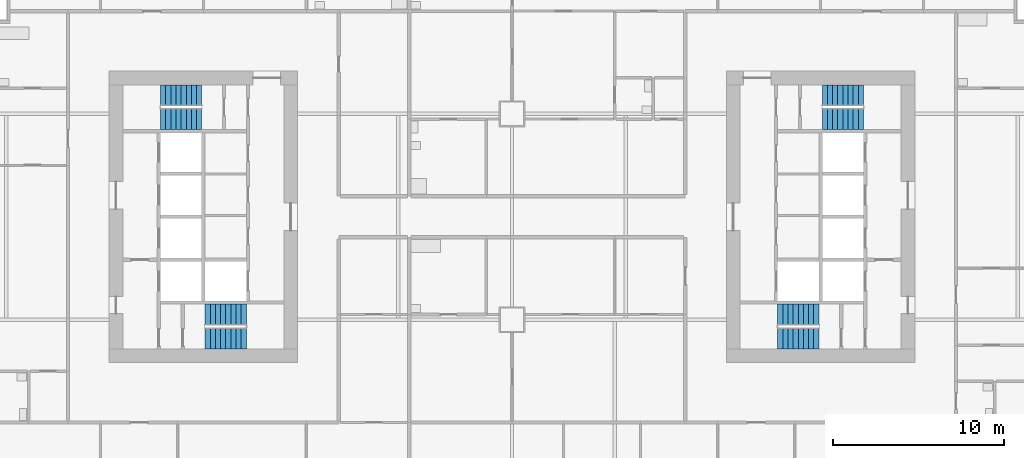
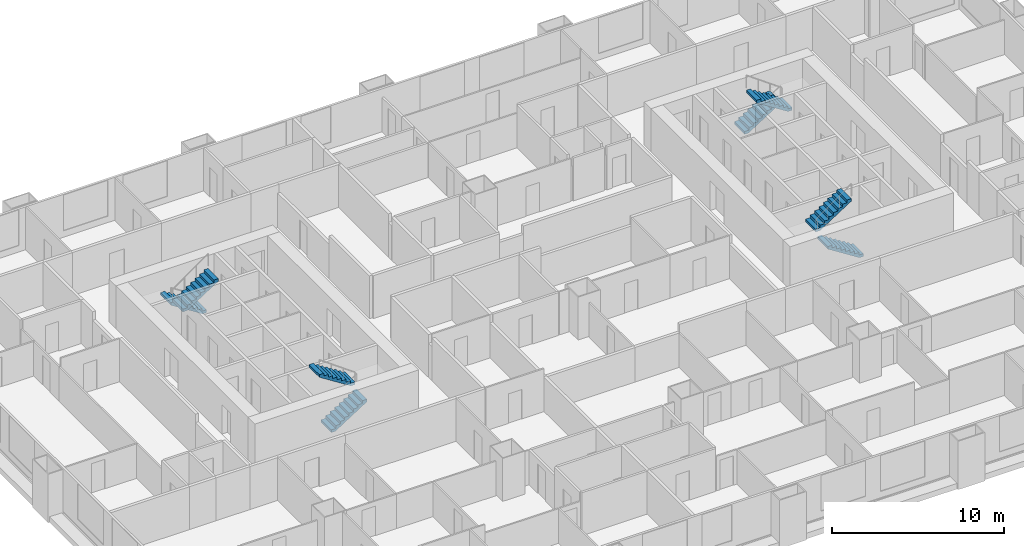
# One storey, part 11 of 13: 8 stair flights, 4 elements without a shape of their own.
"""IFC4 building model written with IfcOpenShell, lengths in metres."""

from ifc_helpers import new_model, si_unit, direction, frame, origin, place, context, subcontext, project, spatial, polyline, outline, extrude, material, type_object, element, aggregate, save


model = new_model("IFC4")

# Units and contexts
model_context = context("Model", 3, precision=1e-05, world=origin(), true_north=direction((0.0, 1.0)))
body_context = subcontext(model_context, "Body", "Model", "MODEL_VIEW")
ifc_project = project(units=[si_unit("LENGTHUNIT", "METRE"), si_unit("AREAUNIT", "SQUARE_METRE"), si_unit("VOLUMEUNIT", "CUBIC_METRE"), si_unit("PLANEANGLEUNIT", "RADIAN"), si_unit("MASSUNIT", "GRAM", prefix="KILO")], contexts=[model_context])

# Site, building, storey
site_placement = place(None, origin())
site = spatial("IfcSite", under=ifc_project, at=site_placement, CompositionType="ELEMENT")
building_placement = place(site_placement, origin())
building = spatial("IfcBuilding", under=site, at=building_placement, Name="Kitamizu Gate Tower and Museum", CompositionType="ELEMENT")
storey_placement = place(building_placement, frame((0.0, 0.0, 47.25)))
storey = spatial("IfcBuildingStorey", under=building, at=storey_placement, Name="L10", CompositionType="ELEMENT", Elevation=47.25)

# Stair, stair flights
ifc_material_1 = material(Name="Concrete Fc42", Category="concrete")
stair_type = type_object("IfcStairType", Name="Exit stair 1200 wide 192 rise 300 going", PredefinedType="HALF_TURN_STAIR", material=ifc_material_1)
stair_1_placement = place(storey_placement, origin())
stair_1 = element("IfcStair", 1, at=stair_1_placement, inside=storey, type_object=stair_type, Name="Exit stair ST1", PredefinedType="HALF_TURN_STAIR")
ifc_material_2 = material(Name="Concrete Fc42", Category="concrete")
stair_flight_type = type_object("IfcStairFlightType", Name="Stair flight 1200 wide 192 rise 300 going", PredefinedType="STRAIGHT", material=ifc_material_2)
stair_flight_1_placement = place(storey_placement, frame((18.10009765625, 22.89990234375, 0.0), z_axis=(0.0, 0.0, 1.0), x_axis=(1.0, 0.0, 0.0)))
stair_flight_1 = element("IfcStairFlight", 2, at=stair_flight_1_placement, type_object=stair_flight_type, Name="ST1 flight 1", NumberOfRisers=9, NumberOfTreads=8, PredefinedType="STRAIGHT", RiserHeight=0.191666667, TreadLength=0.3, context=body_context, shape_type="SweptSolid", body=[
    extrude(outline(polyline([(0.0, 0.0), (0.0, 0.191650390625), (0.300048828125, 0.191650390625), (0.300048828125, 0.38330078125), (0.60009765625, 0.38330078125), (0.60009765625, 0.574951171875), (0.89990234375, 0.574951171875), (0.89990234375, 0.7666015625), (1.199951171875, 0.7666015625), (1.199951171875, 0.958251953125), (1.5, 0.958251953125), (1.5, 1.14990234375), (1.800048828125, 1.14990234375), (1.800048828125, 1.341552734375), (2.10009765625, 1.341552734375), (2.10009765625, 1.533447265625), (2.39990234375, 1.533447265625), (2.39990234375, 1.72509765625), (2.39990234375, 1.35546875), (0.2783203125, 0.0), (0.0, 0.0)])), frame((0.0, 0.60009765625, 0.0), z_axis=(0.0, -1.0, 0.0), x_axis=(1.0, 0.0, 0.0)), (0.0, 0.0, 1.0), 1.199951171875),
])
stair_flight_2_placement = place(storey_placement, frame((20.5, 24.300048828125, 1.72509765625), z_axis=(0.0, 0.0, 1.0), x_axis=(-1.0, 0.0, 0.0)))
stair_flight_2 = element("IfcStairFlight", 3, at=stair_flight_2_placement, type_object=stair_flight_type, Name="ST1 flight 2", NumberOfRisers=9, NumberOfTreads=8, PredefinedType="STRAIGHT", RiserHeight=0.191666667, TreadLength=0.3, context=body_context, shape_type="SweptSolid", body=[
    extrude(outline(polyline([(0.0, 0.0), (0.0, 0.191650390625), (0.300048828125, 0.191650390625), (0.300048828125, 0.38330078125), (0.60009765625, 0.38330078125), (0.60009765625, 0.574951171875), (0.89990234375, 0.574951171875), (0.89990234375, 0.7666015625), (1.199951171875, 0.7666015625), (1.199951171875, 0.958251953125), (1.5, 0.958251953125), (1.5, 1.14990234375), (1.800048828125, 1.14990234375), (1.800048828125, 1.341552734375), (2.10009765625, 1.341552734375), (2.10009765625, 1.533447265625), (2.39990234375, 1.533447265625), (2.39990234375, 1.72509765625), (2.39990234375, 1.35546875), (0.2783203125, 0.0), (0.0, 0.0)])), frame((0.0, 0.60009765625, 0.0), z_axis=(0.0, -1.0, 0.0), x_axis=(1.0, 0.0, 0.0)), (0.0, 0.0, 1.0), 1.199951171875),
])
aggregate(stair_1, [stair_flight_1, stair_flight_2])

stair_2_placement = place(storey_placement, origin())
stair_2 = element("IfcStair", 4, at=stair_2_placement, inside=storey, type_object=stair_type, Name="Exit stair ST2", PredefinedType="HALF_TURN_STAIR")
stair_flight_3_placement = place(storey_placement, frame((17.89990234375, 37.10009765625, 0.0), z_axis=(0.0, 0.0, 1.0), x_axis=(-1.0, 0.0, 0.0)))
stair_flight_3 = element("IfcStairFlight", 5, at=stair_flight_3_placement, type_object=stair_flight_type, Name="ST2 flight 1", NumberOfRisers=9, NumberOfTreads=8, PredefinedType="STRAIGHT", RiserHeight=0.191666667, TreadLength=0.3, context=body_context, shape_type="SweptSolid", body=[
    extrude(outline(polyline([(0.0, 0.0), (0.0, 0.191650390625), (0.300048828125, 0.191650390625), (0.300048828125, 0.38330078125), (0.60009765625, 0.38330078125), (0.60009765625, 0.574951171875), (0.89990234375, 0.574951171875), (0.89990234375, 0.7666015625), (1.199951171875, 0.7666015625), (1.199951171875, 0.958251953125), (1.5, 0.958251953125), (1.5, 1.14990234375), (1.800048828125, 1.14990234375), (1.800048828125, 1.341552734375), (2.10009765625, 1.341552734375), (2.10009765625, 1.533447265625), (2.39990234375, 1.533447265625), (2.39990234375, 1.72509765625), (2.39990234375, 1.35546875), (0.2783203125, 0.0), (0.0, 0.0)])), frame((0.0, 0.60009765625, 0.0), z_axis=(0.0, -1.0, 0.0), x_axis=(1.0, 0.0, 0.0)), (0.0, 0.0, 1.0), 1.199951171875),
])
stair_flight_4_placement = place(storey_placement, frame((15.5, 35.699951171875, 1.72509765625), z_axis=(0.0, 0.0, 1.0), x_axis=(1.0, 0.0, 0.0)))
stair_flight_4 = element("IfcStairFlight", 6, at=stair_flight_4_placement, type_object=stair_flight_type, Name="ST2 flight 2", NumberOfRisers=9, NumberOfTreads=8, PredefinedType="STRAIGHT", RiserHeight=0.191666667, TreadLength=0.3, context=body_context, shape_type="SweptSolid", body=[
    extrude(outline(polyline([(0.0, 0.0), (0.0, 0.191650390625), (0.300048828125, 0.191650390625), (0.300048828125, 0.38330078125), (0.60009765625, 0.38330078125), (0.60009765625, 0.574951171875), (0.89990234375, 0.574951171875), (0.89990234375, 0.7666015625), (1.199951171875, 0.7666015625), (1.199951171875, 0.958251953125), (1.5, 0.958251953125), (1.5, 1.14990234375), (1.800048828125, 1.14990234375), (1.800048828125, 1.341552734375), (2.10009765625, 1.341552734375), (2.10009765625, 1.533447265625), (2.39990234375, 1.533447265625), (2.39990234375, 1.72509765625), (2.39990234375, 1.35546875), (0.2783203125, 0.0), (0.0, 0.0)])), frame((0.0, 0.60009765625, 0.0), z_axis=(0.0, -1.0, 0.0), x_axis=(1.0, 0.0, 0.0)), (0.0, 0.0, 1.0), 1.199951171875),
])
aggregate(stair_2, [stair_flight_3, stair_flight_4])

stair_3_placement = place(storey_placement, origin())
stair_3 = element("IfcStair", 7, at=stair_3_placement, inside=storey, type_object=stair_type, Name="Exit stair ST3", PredefinedType="HALF_TURN_STAIR")
stair_flight_5_placement = place(storey_placement, frame((53.89990234375, 22.89990234375, 0.0), z_axis=(0.0, 0.0, 1.0), x_axis=(-1.0, 0.0, 0.0)))
stair_flight_5 = element("IfcStairFlight", 8, at=stair_flight_5_placement, type_object=stair_flight_type, Name="ST3 flight 1", NumberOfRisers=9, NumberOfTreads=8, PredefinedType="STRAIGHT", RiserHeight=0.191666667, TreadLength=0.3, context=body_context, shape_type="SweptSolid", body=[
    extrude(outline(polyline([(0.0, 0.0), (0.0, 0.191650390625), (0.300048828125, 0.191650390625), (0.300048828125, 0.38330078125), (0.60009765625, 0.38330078125), (0.60009765625, 0.574951171875), (0.89990234375, 0.574951171875), (0.89990234375, 0.7666015625), (1.199951171875, 0.7666015625), (1.199951171875, 0.958251953125), (1.5, 0.958251953125), (1.5, 1.14990234375), (1.800048828125, 1.14990234375), (1.800048828125, 1.341552734375), (2.10009765625, 1.341552734375), (2.10009765625, 1.533447265625), (2.39990234375, 1.533447265625), (2.39990234375, 1.72509765625), (2.39990234375, 1.35546875), (0.2783203125, 0.0), (0.0, 0.0)])), frame((0.0, 0.60009765625, 0.0), z_axis=(0.0, -1.0, 0.0), x_axis=(1.0, 0.0, 0.0)), (0.0, 0.0, 1.0), 1.199951171875),
])
stair_flight_6_placement = place(storey_placement, frame((51.5, 24.300048828125, 1.72509765625), z_axis=(0.0, 0.0, 1.0), x_axis=(1.0, 0.0, 0.0)))
stair_flight_6 = element("IfcStairFlight", 9, at=stair_flight_6_placement, type_object=stair_flight_type, Name="ST3 flight 2", NumberOfRisers=9, NumberOfTreads=8, PredefinedType="STRAIGHT", RiserHeight=0.191666667, TreadLength=0.3, context=body_context, shape_type="SweptSolid", body=[
    extrude(outline(polyline([(0.0, 0.0), (0.0, 0.191650390625), (0.300048828125, 0.191650390625), (0.300048828125, 0.38330078125), (0.60009765625, 0.38330078125), (0.60009765625, 0.574951171875), (0.89990234375, 0.574951171875), (0.89990234375, 0.7666015625), (1.199951171875, 0.7666015625), (1.199951171875, 0.958251953125), (1.5, 0.958251953125), (1.5, 1.14990234375), (1.800048828125, 1.14990234375), (1.800048828125, 1.341552734375), (2.10009765625, 1.341552734375), (2.10009765625, 1.533447265625), (2.39990234375, 1.533447265625), (2.39990234375, 1.72509765625), (2.39990234375, 1.35546875), (0.2783203125, 0.0), (0.0, 0.0)])), frame((0.0, 0.60009765625, 0.0), z_axis=(0.0, -1.0, 0.0), x_axis=(1.0, 0.0, 0.0)), (0.0, 0.0, 1.0), 1.199951171875),
])
aggregate(stair_3, [stair_flight_5, stair_flight_6])

stair_4_placement = place(storey_placement, origin())
stair_4 = element("IfcStair", 10, at=stair_4_placement, inside=storey, type_object=stair_type, Name="Exit stair ST4", PredefinedType="HALF_TURN_STAIR")
stair_flight_7_placement = place(storey_placement, frame((54.10009765625, 37.10009765625, 0.0), z_axis=(0.0, 0.0, 1.0), x_axis=(1.0, 0.0, 0.0)))
stair_flight_7 = element("IfcStairFlight", 11, at=stair_flight_7_placement, type_object=stair_flight_type, Name="ST4 flight 1", NumberOfRisers=9, NumberOfTreads=8, PredefinedType="STRAIGHT", RiserHeight=0.191666667, TreadLength=0.3, context=body_context, shape_type="SweptSolid", body=[
    extrude(outline(polyline([(0.0, 0.0), (0.0, 0.191650390625), (0.300048828125, 0.191650390625), (0.300048828125, 0.38330078125), (0.60009765625, 0.38330078125), (0.60009765625, 0.574951171875), (0.89990234375, 0.574951171875), (0.89990234375, 0.7666015625), (1.199951171875, 0.7666015625), (1.199951171875, 0.958251953125), (1.5, 0.958251953125), (1.5, 1.14990234375), (1.800048828125, 1.14990234375), (1.800048828125, 1.341552734375), (2.10009765625, 1.341552734375), (2.10009765625, 1.533447265625), (2.39990234375, 1.533447265625), (2.39990234375, 1.72509765625), (2.39990234375, 1.35546875), (0.2783203125, 0.0), (0.0, 0.0)])), frame((0.0, 0.60009765625, 0.0), z_axis=(0.0, -1.0, 0.0), x_axis=(1.0, 0.0, 0.0)), (0.0, 0.0, 1.0), 1.199951171875),
])
stair_flight_8_placement = place(storey_placement, frame((56.5, 35.699951171875, 1.72509765625), z_axis=(0.0, 0.0, 1.0), x_axis=(-1.0, 0.0, 0.0)))
stair_flight_8 = element("IfcStairFlight", 12, at=stair_flight_8_placement, type_object=stair_flight_type, Name="ST4 flight 2", NumberOfRisers=9, NumberOfTreads=8, PredefinedType="STRAIGHT", RiserHeight=0.191666667, TreadLength=0.3, context=body_context, shape_type="SweptSolid", body=[
    extrude(outline(polyline([(0.0, 0.0), (0.0, 0.191650390625), (0.300048828125, 0.191650390625), (0.300048828125, 0.38330078125), (0.60009765625, 0.38330078125), (0.60009765625, 0.574951171875), (0.89990234375, 0.574951171875), (0.89990234375, 0.7666015625), (1.199951171875, 0.7666015625), (1.199951171875, 0.958251953125), (1.5, 0.958251953125), (1.5, 1.14990234375), (1.800048828125, 1.14990234375), (1.800048828125, 1.341552734375), (2.10009765625, 1.341552734375), (2.10009765625, 1.533447265625), (2.39990234375, 1.533447265625), (2.39990234375, 1.72509765625), (2.39990234375, 1.35546875), (0.2783203125, 0.0), (0.0, 0.0)])), frame((0.0, 0.60009765625, 0.0), z_axis=(0.0, -1.0, 0.0), x_axis=(1.0, 0.0, 0.0)), (0.0, 0.0, 1.0), 1.199951171875),
])
aggregate(stair_4, [stair_flight_7, stair_flight_8])

save(model, "model.ifc")
